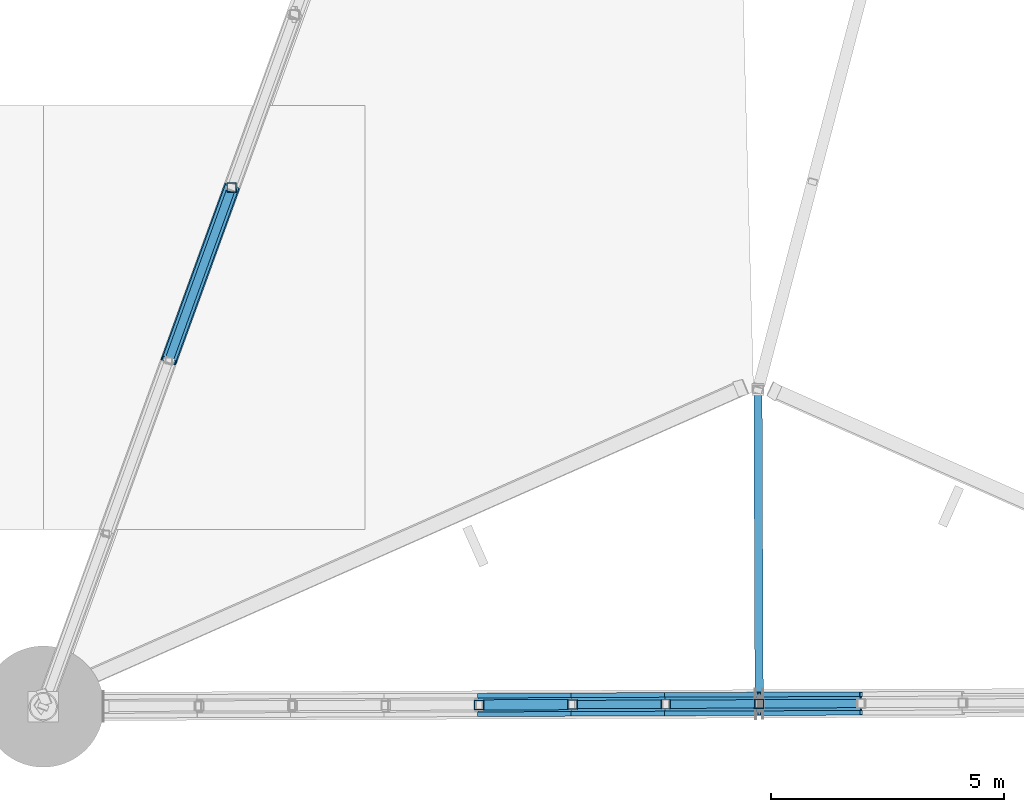
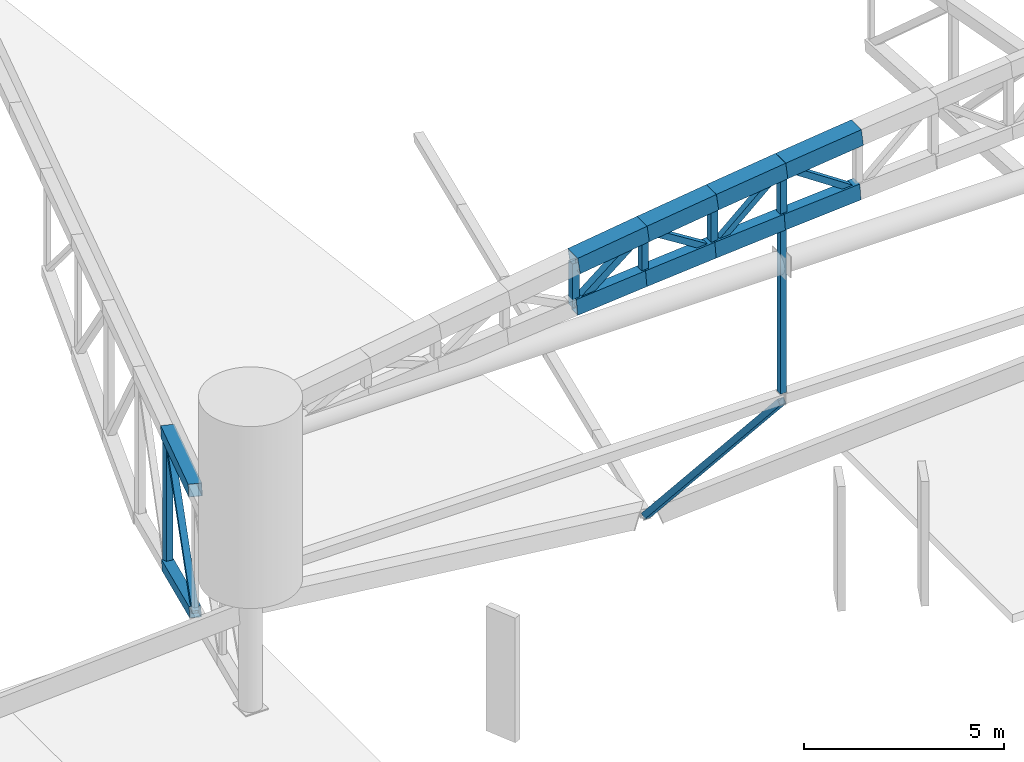
# One storey, part 17 of 188: 22 members.
"""IFC4 building model written with IfcOpenShell, lengths in metres."""

from ifc_helpers import new_model, si_unit, direction, frame, origin, origin_2d, place, context, subcontext, project, spatial, hollow_rectangle, extrude, material, material_profile, profile_set, type_object, element, save


model = new_model("IFC4")

# Units and contexts
model_context = context("Model", 3, precision=1e-05, world=origin(), true_north=direction((0.0, 1.0)))
body_context = subcontext(model_context, "Body", "Model", "MODEL_VIEW")
ifc_project = project(units=[si_unit("LENGTHUNIT", "METRE"), si_unit("AREAUNIT", "SQUARE_METRE"), si_unit("VOLUMEUNIT", "CUBIC_METRE"), si_unit("PLANEANGLEUNIT", "RADIAN"), si_unit("MASSUNIT", "GRAM", prefix="KILO")], contexts=[model_context])

# Site, building, storey
site_placement = place(None, origin())
site = spatial("IfcSite", under=ifc_project, at=site_placement, CompositionType="ELEMENT")
building_placement = place(site_placement, origin())
building = spatial("IfcBuilding", under=site, at=building_placement, Name="Meseta Stadium", CompositionType="ELEMENT")
storey_placement = place(building_placement, frame((0.0, 0.0, 30.0)))
storey = spatial("IfcBuildingStorey", under=building, at=storey_placement, Name="ROOF", CompositionType="ELEMENT", Elevation=30.0)

# Members
ifc_material_1 = material(Name="Steel S355", Category="steel")
ifc_material_profile_1 = material_profile(ifc_material_1, hollow_rectangle(XDim=0.300048828125, YDim=0.5, WallThickness=0.01611328125, at=origin_2d()), Name="RHS 500x300x16")
ifc_profile_set_1 = profile_set([ifc_material_profile_1], Name="Steel S355")
member_type_1 = type_object("IfcMemberType", Name="RHS 500x300x16 arch bottom chord", PredefinedType="CHORD", material=ifc_profile_set_1)
member_1_placement = place(storey_placement, frame((-28.982421875, -105.364013671875, 16.36572265625), z_axis=(0.996258086361, 0.003885940854, 0.086340748343), x_axis=(-0.003900506652, 0.999992392995, 0.0)))
element("IfcMember", 1, at=member_1_placement, inside=storey, type_object=member_type_1, Name="GABLE ARCH GA-S bottom chord", PredefinedType="CHORD", context=body_context, shape_type="SweptSolid", body=[
    extrude(hollow_rectangle(XDim=0.300048828125, YDim=0.5, WallThickness=0.01611328125, at=origin_2d()), origin(), (0.0, 0.0, 1.0), 2.010498046875),
])
member_2_placement = place(storey_placement, frame((-26.9794921875, -105.356201171875, 16.539306640625), z_axis=(0.996723035232, 0.003766721211, 0.080802245328), x_axis=(-0.00377907822, 0.999992859258, 0.0)))
element("IfcMember", 2, at=member_2_placement, inside=storey, type_object=member_type_1, Name="GABLE ARCH GA-S bottom chord", PredefinedType="CHORD", context=body_context, shape_type="SweptSolid", body=[
    extrude(hollow_rectangle(XDim=0.300048828125, YDim=0.5, WallThickness=0.01611328125, at=origin_2d()), origin(), (0.0, 0.0, 1.0), 2.00927734375),
])
member_3_placement = place(storey_placement, frame((-24.976806640625, -105.3486328125, 16.70166015625), z_axis=(0.997166550331, 0.003889958504, 0.075124823614), x_axis=(-0.003900982143, 0.99999239114, 0.0)))
element("IfcMember", 3, at=member_3_placement, inside=storey, type_object=member_type_1, Name="GABLE ARCH GA-S bottom chord", PredefinedType="CHORD", context=body_context, shape_type="SweptSolid", body=[
    extrude(hollow_rectangle(XDim=0.300048828125, YDim=0.5, WallThickness=0.01611328125, at=origin_2d()), origin(), (0.0, 0.0, 1.0), 2.00830078125),
])
member_4_placement = place(storey_placement, frame((-22.97412109375, -105.3408203125, 16.8525390625), z_axis=(0.997582672164, 0.003786737842, 0.069386402228), x_axis=(-0.003795886463, 0.999992795597, 0.0)))
element("IfcMember", 4, at=member_4_placement, inside=storey, type_object=member_type_1, Name="GABLE ARCH GA-S bottom chord", PredefinedType="CHORD", context=body_context, shape_type="SweptSolid", body=[
    extrude(hollow_rectangle(XDim=0.300048828125, YDim=0.5, WallThickness=0.01611328125, at=origin_2d()), origin(), (0.0, 0.0, 1.0), 2.192138671875),
])
ifc_material_2 = material(Name="Steel S355", Category="steel")
ifc_material_profile_2 = material_profile(ifc_material_2, hollow_rectangle(XDim=0.179931640625, YDim=0.179931640625, WallThickness=0.00634765625, at=origin_2d()), Name="SHS 180x180x6.3")
ifc_profile_set_2 = profile_set([ifc_material_profile_2], Name="Steel S355")
member_type_2 = type_object("IfcMemberType", Name="SHS 180x180x6.3 arch diagonal", PredefinedType="BRACE", material=ifc_profile_set_2)
member_5_placement = place(storey_placement, frame((-26.9794921875, -105.356201171875, 17.965087890625), z_axis=(0.845756422473, 0.003196202499, -0.533559610667), x_axis=(-0.00377907822, 0.999992859258, 0.0)))
element("IfcMember", 5, at=member_5_placement, inside=storey, type_object=member_type_2, Name="GABLE ARCH GA-S diagonal", PredefinedType="BRACE", context=body_context, shape_type="SweptSolid", body=[
    extrude(hollow_rectangle(XDim=0.179931640625, YDim=0.179931640625, WallThickness=0.00634765625, at=origin_2d()), origin(), (0.0, 0.0, 1.0), 2.367919921875),
])
member_6_placement = place(storey_placement, frame((-24.976806640625, -105.3486328125, 16.70166015625), z_axis=(0.748970709473, 0.002921743594, 0.66259666447), x_axis=(-0.003900982143, 0.99999239114, 0.0)))
element("IfcMember", 6, at=member_6_placement, inside=storey, type_object=member_type_2, Name="GABLE ARCH GA-S diagonal", PredefinedType="BRACE", context=body_context, shape_type="SweptSolid", body=[
    extrude(hollow_rectangle(XDim=0.179931640625, YDim=0.179931640625, WallThickness=0.00634765625, at=origin_2d()), origin(), (0.0, 0.0, 1.0), 2.673828125),
])
member_7_placement = place(storey_placement, frame((-22.97412109375, -105.3408203125, 18.473388671875), z_axis=(0.830130603351, 0.003151104222, -0.557560088172), x_axis=(-0.003795886463, 0.999992795597, 0.0)))
element("IfcMember", 7, at=member_7_placement, inside=storey, type_object=member_type_2, Name="GABLE ARCH GA-S diagonal", PredefinedType="BRACE", context=body_context, shape_type="SweptSolid", body=[
    extrude(hollow_rectangle(XDim=0.179931640625, YDim=0.179931640625, WallThickness=0.00634765625, at=origin_2d()), origin(), (0.0, 0.0, 1.0), 2.63427734375),
])
ifc_material_3 = material(Name="Steel S355", Category="steel")
ifc_material_profile_3 = material_profile(ifc_material_3, hollow_rectangle(XDim=0.179931640625, YDim=0.179931640625, WallThickness=0.00634765625, at=origin_2d()), Name="SHS 180x180x6.3")
ifc_profile_set_3 = profile_set([ifc_material_profile_3], Name="Steel S355")
member_type_3 = type_object("IfcMemberType", Name="SHS 180x180x6.3 diagonal", PredefinedType="BRACE", material=ifc_profile_set_3)
member_8_placement = place(storey_placement, frame((-34.291259765625, -94.263427734375, 7.62744140625), z_axis=(-0.278808683035, -0.768125752048, -0.576410051356), x_axis=(0.939993617299, -0.341192027219, 0.0)))
element("IfcMember", 8, at=member_8_placement, inside=storey, type_object=member_type_3, Name="ROOF TRUSS RT-44 diagonal", PredefinedType="BRACE", context=body_context, shape_type="SweptSolid", body=[
    extrude(hollow_rectangle(XDim=0.179931640625, YDim=0.179931640625, WallThickness=0.00634765625, at=origin_2d()), origin(), (0.0, 0.0, 1.0), 4.832763671875),
])
ifc_material_4 = material(Name="Steel S355", Category="steel")
ifc_material_profile_4 = material_profile(ifc_material_4, hollow_rectangle(XDim=0.179931640625, YDim=0.179931640625, WallThickness=0.00634765625, at=origin_2d()), Name="SHS 180x180x6.3")
ifc_profile_set_4 = profile_set([ifc_material_profile_4], Name="Steel S355")
member_type_4 = type_object("IfcMemberType", Name="SHS 180x180x6.3 hanger", PredefinedType="STRUT", material=ifc_profile_set_4)
member_9_placement = place(storey_placement, frame((-22.97412109375, -105.3408203125, 16.8525390625), z_axis=(0.0, 0.0, -1.0), x_axis=(1.0, 0.0, 0.0)))
element("IfcMember", 9, at=member_9_placement, inside=storey, type_object=member_type_4, Name="GABLE ARCH GA-S hanger RT-45", PredefinedType="STRUT", context=body_context, shape_type="SweptSolid", body=[
    extrude(hollow_rectangle(XDim=0.179931640625, YDim=0.179931640625, WallThickness=0.00634765625, at=origin_2d()), origin(), (0.0, 0.0, 1.0), 5.25244140625),
])
member_10_placement = place(storey_placement, frame((-22.97412109375, -105.3408203125, 11.300048828125), z_axis=(-0.002555029561, 0.665512888586, -0.74638198461), x_axis=(-0.999992630397, -0.003839160406, 0.0)))
element("IfcMember", 10, at=member_10_placement, inside=storey, type_object=member_type_4, Name="GABLE ARCH GA-S hanger RT-45", PredefinedType="STRUT", context=body_context, shape_type="SweptSolid", body=[
    extrude(hollow_rectangle(XDim=0.179931640625, YDim=0.179931640625, WallThickness=0.00634765625, at=origin_2d()), origin(), (0.0, 0.0, 1.0), 10.128662109375),
])
ifc_material_5 = material(Name="Steel S355", Category="steel")
ifc_material_profile_5 = material_profile(ifc_material_5, hollow_rectangle(XDim=0.199951171875, YDim=0.199951171875, WallThickness=0.008056640625, at=origin_2d()), Name="SHS 200x200x8")
ifc_profile_set_5 = profile_set([ifc_material_profile_5], Name="Steel S355")
member_type_5 = type_object("IfcMemberType", Name="SHS 200x200x8 arch vertical", PredefinedType="POST", material=ifc_profile_set_5)
member_11_placement = place(storey_placement, frame((-28.982421875, -105.364013671875, 16.36572265625), z_axis=(0.0, 0.0, 1.0), x_axis=(1.0, 0.0, 0.0)))
element("IfcMember", 11, at=member_11_placement, inside=storey, type_object=member_type_5, Name="GABLE ARCH GA-S vertical", PredefinedType="POST", context=body_context, shape_type="SweptSolid", body=[
    extrude(hollow_rectangle(XDim=0.199951171875, YDim=0.199951171875, WallThickness=0.008056640625, at=origin_2d()), origin(), (0.0, 0.0, 1.0), 1.32373046875),
])
member_12_placement = place(storey_placement, frame((-26.9794921875, -105.356201171875, 16.539306640625), z_axis=(0.0, 0.0, 1.0), x_axis=(1.0, 0.0, 0.0)))
element("IfcMember", 12, at=member_12_placement, inside=storey, type_object=member_type_5, Name="GABLE ARCH GA-S vertical", PredefinedType="POST", context=body_context, shape_type="SweptSolid", body=[
    extrude(hollow_rectangle(XDim=0.199951171875, YDim=0.199951171875, WallThickness=0.008056640625, at=origin_2d()), origin(), (0.0, 0.0, 1.0), 1.42578125),
])
member_13_placement = place(storey_placement, frame((-24.976806640625, -105.3486328125, 16.70166015625), z_axis=(0.0, 0.0, 1.0), x_axis=(1.0, 0.0, 0.0)))
element("IfcMember", 13, at=member_13_placement, inside=storey, type_object=member_type_5, Name="GABLE ARCH GA-S vertical", PredefinedType="POST", context=body_context, shape_type="SweptSolid", body=[
    extrude(hollow_rectangle(XDim=0.199951171875, YDim=0.199951171875, WallThickness=0.008056640625, at=origin_2d()), origin(), (0.0, 0.0, 1.0), 1.52490234375),
])
member_14_placement = place(storey_placement, frame((-22.97412109375, -105.3408203125, 16.8525390625), z_axis=(0.0, 0.0, 1.0), x_axis=(1.0, 0.0, 0.0)))
element("IfcMember", 14, at=member_14_placement, inside=storey, type_object=member_type_5, Name="GABLE ARCH GA-S vertical", PredefinedType="POST", context=body_context, shape_type="SweptSolid", body=[
    extrude(hollow_rectangle(XDim=0.199951171875, YDim=0.199951171875, WallThickness=0.008056640625, at=origin_2d()), origin(), (0.0, 0.0, 1.0), 1.620849609375),
])
ifc_material_6 = material(Name="Steel S355", Category="steel")
ifc_material_profile_6 = material_profile(ifc_material_6, hollow_rectangle(XDim=0.199951171875, YDim=0.199951171875, WallThickness=0.008056640625, at=origin_2d()), Name="SHS 200x200x8")
ifc_profile_set_6 = profile_set([ifc_material_profile_6], Name="Steel S355")
member_type_6 = type_object("IfcMemberType", Name="SHS 200x200x8 post", PredefinedType="POST", material=ifc_profile_set_6)
member_15_placement = place(storey_placement, frame((-34.291259765625, -94.263427734375, 3.556396484375), z_axis=(0.0, 0.0, 1.0), x_axis=(1.0, 0.0, 0.0)))
element("IfcMember", 15, at=member_15_placement, inside=storey, type_object=member_type_6, Name="ROOF TRUSS RT-44 post", PredefinedType="POST", context=body_context, shape_type="SweptSolid", body=[
    extrude(hollow_rectangle(XDim=0.199951171875, YDim=0.199951171875, WallThickness=0.008056640625, at=origin_2d()), origin(), (0.0, 0.0, 1.0), 4.071044921875),
])
ifc_material_7 = material(Name="Steel S355", Category="steel")
ifc_material_profile_7 = material_profile(ifc_material_7, hollow_rectangle(XDim=0.219970703125, YDim=0.219970703125, WallThickness=0.008056640625, at=origin_2d()), Name="SHS 220x220x8")
ifc_profile_set_7 = profile_set([ifc_material_profile_7], Name="Steel S355")
member_type_7 = type_object("IfcMemberType", Name="SHS 220x220x8 arch diagonal", PredefinedType="BRACE", material=ifc_profile_set_7)
member_16_placement = place(storey_placement, frame((-28.982421875, -105.364013671875, 16.36572265625), z_axis=(0.781431714869, 0.003048002788, 0.623983320832), x_axis=(-0.003900506652, 0.999992392995, 0.0)))
element("IfcMember", 16, at=member_16_placement, inside=storey, type_object=member_type_7, Name="GABLE ARCH GA-S diagonal", PredefinedType="BRACE", context=body_context, shape_type="SweptSolid", body=[
    extrude(hollow_rectangle(XDim=0.219970703125, YDim=0.219970703125, WallThickness=0.008056640625, at=origin_2d()), origin(), (0.0, 0.0, 1.0), 2.563232421875),
])
ifc_material_8 = material(Name="Steel S355", Category="steel")
ifc_material_profile_8 = material_profile(ifc_material_8, hollow_rectangle(XDim=0.300048828125, YDim=0.300048828125, WallThickness=0.010009765625, at=origin_2d()), Name="SHS 300x300x10")
ifc_profile_set_8 = profile_set([ifc_material_profile_8], Name="Steel S355")
member_type_8 = type_object("IfcMemberType", Name="SHS 300x300x10 bottom chord", PredefinedType="CHORD", material=ifc_profile_set_8)
member_17_placement = place(storey_placement, frame((-34.291259765625, -94.263427734375, 3.556396484375), z_axis=(-0.324438535992, -0.893837278449, 0.309506956332), x_axis=(0.939993617299, -0.341192027219, 0.0)))
element("IfcMember", 17, at=member_17_placement, inside=storey, type_object=member_type_8, Name="ROOF TRUSS RT-44 bottom chord", PredefinedType="CHORD", context=body_context, shape_type="SweptSolid", body=[
    extrude(hollow_rectangle(XDim=0.300048828125, YDim=0.300048828125, WallThickness=0.010009765625, at=origin_2d()), origin(), (0.0, 0.0, 1.0), 4.153076171875),
])
ifc_material_9 = material(Name="Steel S355", Category="steel")
ifc_material_profile_9 = material_profile(ifc_material_9, hollow_rectangle(XDim=0.35009765625, YDim=0.35009765625, WallThickness=0.010009765625, at=origin_2d()), Name="SHS 350x350x10")
ifc_profile_set_9 = profile_set([ifc_material_profile_9], Name="Steel S355")
member_type_9 = type_object("IfcMemberType", Name="SHS 350x350x10 top chord", PredefinedType="CHORD", material=ifc_profile_set_9)
member_18_placement = place(storey_placement, frame((-34.291259765625, -94.263427734375, 7.62744140625), z_axis=(-0.332136058049, -0.915044167899, 0.228866357811), x_axis=(0.939993617299, -0.341192027219, 0.0)))
element("IfcMember", 18, at=member_18_placement, inside=storey, type_object=member_type_9, Name="ROOF TRUSS RT-44 top chord", PredefinedType="CHORD", context=body_context, shape_type="SweptSolid", body=[
    extrude(hollow_rectangle(XDim=0.35009765625, YDim=0.35009765625, WallThickness=0.010009765625, at=origin_2d()), origin(), (0.0, 0.0, 1.0), 4.056884765625),
])
ifc_material_10 = material(Name="Steel S355", Category="steel")
ifc_material_profile_10 = material_profile(ifc_material_10, hollow_rectangle(XDim=0.5, YDim=0.5, WallThickness=0.01611328125, at=origin_2d()), Name="SHS 500x500x16")
ifc_profile_set_10 = profile_set([ifc_material_profile_10], Name="Steel S355")
member_type_10 = type_object("IfcMemberType", Name="SHS 500x500x16 arch top chord", PredefinedType="CHORD", material=ifc_profile_set_10)
member_19_placement = place(storey_placement, frame((-28.982421875, -105.364013671875, 17.689453125), z_axis=(0.990655956761, 0.003864089544, 0.136329909213), x_axis=(-0.003900506652, 0.999992392995, 0.0)))
element("IfcMember", 19, at=member_19_placement, inside=storey, type_object=member_type_10, Name="GABLE ARCH GA-S top chord", PredefinedType="CHORD", context=body_context, shape_type="SweptSolid", body=[
    extrude(hollow_rectangle(XDim=0.5, YDim=0.5, WallThickness=0.01611328125, at=origin_2d()), origin(), (0.0, 0.0, 1.0), 2.021728515625),
])
member_20_placement = place(storey_placement, frame((-26.9794921875, -105.356201171875, 17.965087890625), z_axis=(0.991577264118, 0.0037472748, 0.129462300362), x_axis=(-0.00377907822, 0.999992859258, 0.0)))
element("IfcMember", 20, at=member_20_placement, inside=storey, type_object=member_type_10, Name="GABLE ARCH GA-S top chord", PredefinedType="CHORD", context=body_context, shape_type="SweptSolid", body=[
    extrude(hollow_rectangle(XDim=0.5, YDim=0.5, WallThickness=0.01611328125, at=origin_2d()), origin(), (0.0, 0.0, 1.0), 2.019775390625),
])
member_21_placement = place(storey_placement, frame((-24.976806640625, -105.3486328125, 18.2265625), z_axis=(0.99248302154, 0.003871688003, 0.122321142847), x_axis=(-0.003900982143, 0.99999239114, 0.0)))
element("IfcMember", 21, at=member_21_placement, inside=storey, type_object=member_type_10, Name="GABLE ARCH GA-S top chord", PredefinedType="CHORD", context=body_context, shape_type="SweptSolid", body=[
    extrude(hollow_rectangle(XDim=0.5, YDim=0.5, WallThickness=0.01611328125, at=origin_2d()), origin(), (0.0, 0.0, 1.0), 2.017822265625),
])
member_22_placement = place(storey_placement, frame((-22.97412109375, -105.3408203125, 18.473388671875), z_axis=(0.99338291666, 0.003770795932, 0.114787464413), x_axis=(-0.003795886463, 0.999992795597, 0.0)))
element("IfcMember", 22, at=member_22_placement, inside=storey, type_object=member_type_10, Name="GABLE ARCH GA-S top chord", PredefinedType="CHORD", context=body_context, shape_type="SweptSolid", body=[
    extrude(hollow_rectangle(XDim=0.5, YDim=0.5, WallThickness=0.01611328125, at=origin_2d()), origin(), (0.0, 0.0, 1.0), 2.201416015625),
])

save(model, "model.ifc")
